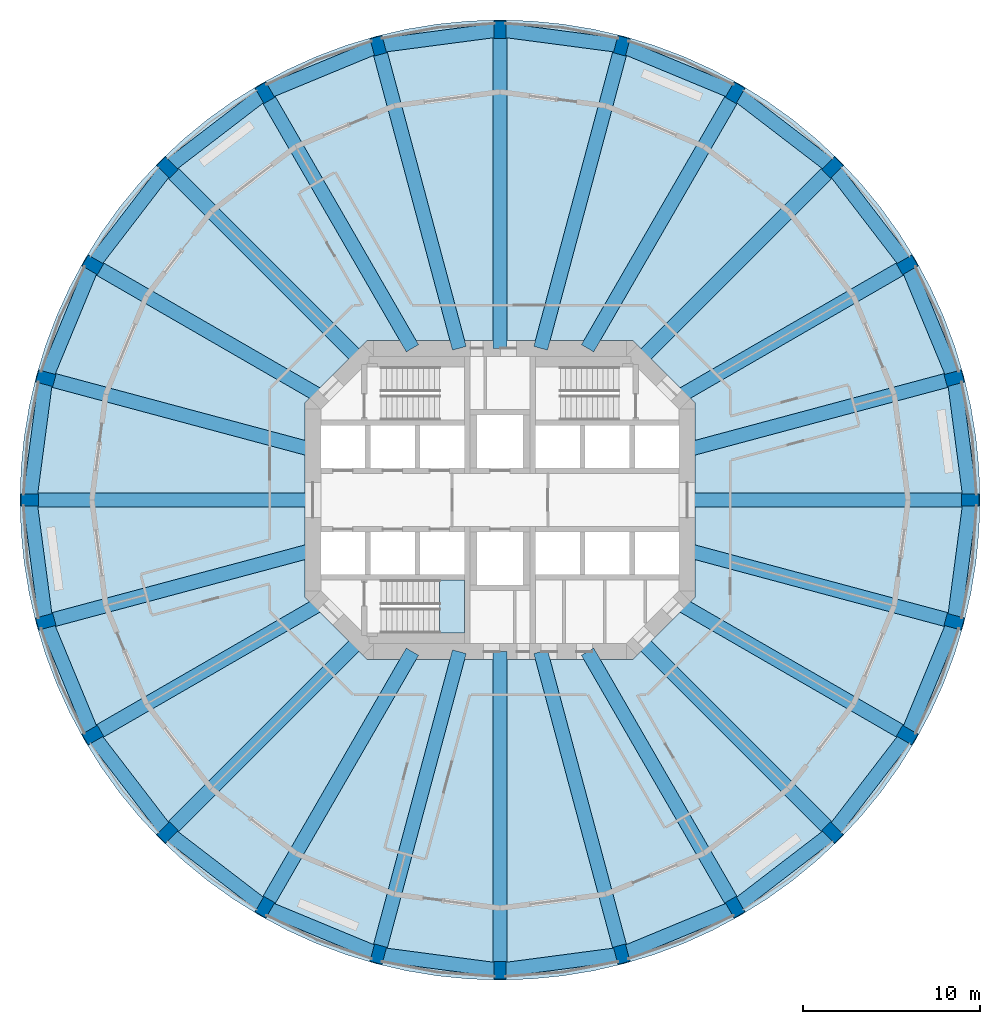
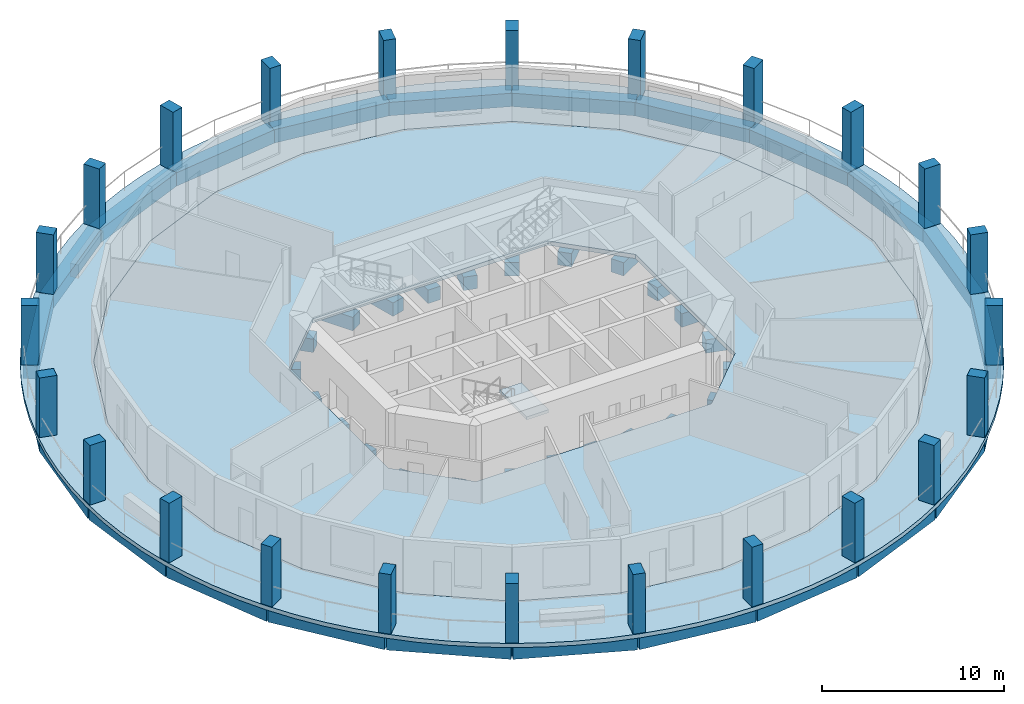
# One storey, part 1 of 9: 48 beams, 24 columns, 3 slabs, 1 element without a shape of its own.
"""IFC4 building model written with IfcOpenShell, lengths in metres."""

from ifc_helpers import new_model, si_unit, direction, frame, origin, origin_2d, place, context, subcontext, project, spatial, polyline, rectangle, outline, extrude, material, layer, layer_set, material_profile, profile_set, type_object, element, aggregate, save


model = new_model("IFC4")

# Units and contexts
model_context = context("Model", 3, precision=1e-05, world=origin(), true_north=direction((0.0, 1.0)))
body_context = subcontext(model_context, "Body", "Model", "MODEL_VIEW")
ifc_project = project(units=[si_unit("LENGTHUNIT", "METRE"), si_unit("AREAUNIT", "SQUARE_METRE"), si_unit("VOLUMEUNIT", "CUBIC_METRE"), si_unit("PLANEANGLEUNIT", "RADIAN"), si_unit("MASSUNIT", "GRAM", prefix="KILO")], contexts=[model_context])

# Site, building, storey
site_placement = place(None, origin())
site = spatial("IfcSite", under=ifc_project, at=site_placement, CompositionType="ELEMENT")
building_placement = place(site_placement, origin())
building = spatial("IfcBuilding", under=site, at=building_placement, Name="Torre Triforio", CompositionType="ELEMENT")
storey_placement = place(building_placement, frame((0.0, 0.0, 67.0)))
storey = spatial("IfcBuildingStorey", under=building, at=storey_placement, Name="L14", CompositionType="ELEMENT", Elevation=67.0)

# Columns
ifc_material_1 = material(Name="Concrete C70", Category="concrete")
ifc_material_profile_1 = material_profile(ifc_material_1, rectangle(XDim=0.699951171875, YDim=1.0, at=origin_2d()), Name="RC 700x1000")
ifc_profile_set_1 = profile_set([ifc_material_profile_1], Name="Concrete C70")
column_type = type_object("IfcColumnType", Name="Pier RC 700x1000 C70", PredefinedType="COLUMN", material=ifc_profile_set_1)
for number, where, z_axis, x_axis, name in (
    (1, (26.5, 0.0, 0.0), (0.0, 0.0, 1.0), (0.0, 1.0, 0.0), "COL.R.L14.00"),
    (2, (25.596923828125, 6.858642578125, 0.0), (0.0, 0.0, 1.0), (-0.258819045103, 0.965925826289, 0.0), "COL.R.L14.01"),
    (3, (22.94970703125, 13.25, 0.0), (0.0, 0.0, 1.0), (-0.5, 0.866025403784, 0.0), "COL.R.L14.02"),
    (4, (18.73828125, 18.73828125, 0.0), (0.0, 0.0, 1.0), (-0.707106781187, 0.707106781187, 0.0), "COL.R.L14.03"),
    (5, (13.25, 22.94970703125, 0.0), (0.0, 0.0, 1.0), (-0.866025403784, 0.5, 0.0), "COL.R.L14.04"),
    (6, (6.858642578125, 25.596923828125, 0.0), (0.0, 0.0, 1.0), (-0.965925826289, 0.258819045103, 0.0), "COL.R.L14.05"),
    (7, (0.0, 26.5, 0.0), (0.0, 0.0, 1.0), (-1.0, 0.0, 0.0), "COL.R.L14.06"),
    (8, (-6.858642578125, 25.596923828125, 0.0), (0.0, 0.0, 1.0), (-0.965925826289, -0.258819045103, 0.0), "COL.R.L14.07"),
    (9, (-13.25, 22.94970703125, 0.0), (0.0, 0.0, 1.0), (-0.866025403784, -0.5, 0.0), "COL.R.L14.08"),
    (10, (-18.73828125, 18.73828125, 0.0), (0.0, 0.0, 1.0), (-0.707106781187, -0.707106781187, 0.0), "COL.R.L14.09"),
    (11, (-22.94970703125, 13.25, 0.0), (0.0, 0.0, 1.0), (-0.5, -0.866025403784, 0.0), "COL.R.L14.10"),
    (12, (-25.596923828125, 6.858642578125, 0.0), (0.0, 0.0, 1.0), (-0.258819045103, -0.965925826289, 0.0), "COL.R.L14.11"),
    (13, (-26.5, 0.0, 0.0), (0.0, 0.0, 1.0), (0.0, -1.0, 0.0), "COL.R.L14.12"),
    (14, (-25.596923828125, -6.858642578125, 0.0), (0.0, 0.0, 1.0), (0.258819045103, -0.965925826289, 0.0), "COL.R.L14.13"),
    (15, (-22.94970703125, -13.25, 0.0), (0.0, 0.0, 1.0), (0.5, -0.866025403784, 0.0), "COL.R.L14.14"),
    (16, (-18.73828125, -18.73828125, 0.0), (0.0, 0.0, 1.0), (0.707106781187, -0.707106781187, 0.0), "COL.R.L14.15"),
    (17, (-13.25, -22.94970703125, 0.0), (0.0, 0.0, 1.0), (0.866025403784, -0.5, 0.0), "COL.R.L14.16"),
    (18, (-6.858642578125, -25.596923828125, 0.0), (0.0, 0.0, 1.0), (0.965925826289, -0.258819045103, 0.0), "COL.R.L14.17"),
    (19, (0.0, -26.5, 0.0), (0.0, 0.0, 1.0), (1.0, 0.0, 0.0), "COL.R.L14.18"),
    (20, (6.858642578125, -25.596923828125, 0.0), (0.0, 0.0, 1.0), (0.965925826289, 0.258819045103, 0.0), "COL.R.L14.19"),
    (21, (13.25, -22.94970703125, 0.0), (0.0, 0.0, 1.0), (0.866025403784, 0.5, 0.0), "COL.R.L14.20"),
    (22, (18.73828125, -18.73828125, 0.0), (0.0, 0.0, 1.0), (0.707106781187, 0.707106781187, 0.0), "COL.R.L14.21"),
    (23, (22.94970703125, -13.25, 0.0), (0.0, 0.0, 1.0), (0.5, 0.866025403784, 0.0), "COL.R.L14.22"),
    (24, (25.596923828125, -6.858642578125, 0.0), (0.0, 0.0, 1.0), (0.258819045103, 0.965925826289, 0.0), "COL.R.L14.23"),
):
    element("IfcColumn", number, at=place(storey_placement, frame(where, z_axis=z_axis, x_axis=x_axis)), inside=storey, type_object=column_type, Name=name, PredefinedType="COLUMN", context=body_context, shape_type="SweptSolid", body=[
        extrude(rectangle(XDim=0.699951171875, YDim=1.0, at=origin_2d()), origin(), (0.0, 0.0, 1.0), 4.0),
    ])

# Beams
ifc_material_2 = material(Name="Concrete C50", Category="concrete")
ifc_material_profile_2 = material_profile(ifc_material_2, rectangle(XDim=0.800048828125, YDim=0.89990234375, at=origin_2d()), Name="RC 800x900")
ifc_profile_set_2 = profile_set([ifc_material_profile_2], Name="Concrete C50")
beam_type_1 = type_object("IfcBeamType", Name="Radial beam RC 800x900 C50", PredefinedType="BEAM", material=ifc_profile_set_2)
beam_1_placement = place(storey_placement, frame((10.550048828125, 0.0, -0.72998046875), z_axis=(1.0, 0.0, 0.0), x_axis=(0.0, 1.0, 0.0)))
element("IfcBeam", 25, at=beam_1_placement, inside=storey, type_object=beam_type_1, Name="BM.R.L14.00", PredefinedType="BEAM", context=body_context, shape_type="SweptSolid", body=[
    extrude(rectangle(XDim=0.800048828125, YDim=0.89990234375, at=origin_2d()), origin(), (0.0, 0.0, 1.0), 15.949951171875),
])
beam_2_placement = place(storey_placement, frame((10.550048828125, 2.826904296875, -0.72998046875), z_axis=(0.965926784764, 0.258815467997, 0.0), x_axis=(-0.258815467997, 0.965926784764, 0.0)))
element("IfcBeam", 26, at=beam_2_placement, inside=storey, type_object=beam_type_1, Name="BM.R.L14.01", PredefinedType="BEAM", context=body_context, shape_type="SweptSolid", body=[
    extrude(rectangle(XDim=0.800048828125, YDim=0.89990234375, at=origin_2d()), origin(), (0.0, 0.0, 1.0), 15.57763671875),
])
beam_3_placement = place(storey_placement, frame((10.039794921875, 5.796630859375, -0.72998046875), z_axis=(0.866030402573, 0.499991341745, 0.0), x_axis=(-0.499991341745, 0.866030402573, 0.0)))
element("IfcBeam", 27, at=beam_3_placement, inside=storey, type_object=beam_type_1, Name="BM.R.L14.02", PredefinedType="BEAM", context=body_context, shape_type="SweptSolid", body=[
    extrude(rectangle(XDim=0.800048828125, YDim=0.89990234375, at=origin_2d()), origin(), (0.0, 0.0, 1.0), 14.906982421875),
])
beam_4_placement = place(storey_placement, frame((7.918212890625, 7.918212890625, -0.72998046875), z_axis=(0.707106781187, 0.707106781187, 0.0), x_axis=(-0.707106781187, 0.707106781187, 0.0)))
element("IfcBeam", 28, at=beam_4_placement, inside=storey, type_object=beam_type_1, Name="BM.R.L14.03", PredefinedType="BEAM", context=body_context, shape_type="SweptSolid", body=[
    extrude(rectangle(XDim=0.800048828125, YDim=0.89990234375, at=origin_2d()), origin(), (0.0, 0.0, 1.0), 15.302001953125),
])
beam_5_placement = place(storey_placement, frame((4.936279296875, 8.550048828125, -0.72998046875), z_axis=(0.500003345241, 0.8660234724, 0.0), x_axis=(-0.8660234724, 0.500003345241, 0.0)))
element("IfcBeam", 29, at=beam_5_placement, inside=storey, type_object=beam_type_1, Name="BM.R.L14.04", PredefinedType="BEAM", context=body_context, shape_type="SweptSolid", body=[
    extrude(rectangle(XDim=0.800048828125, YDim=0.89990234375, at=origin_2d()), origin(), (0.0, 0.0, 1.0), 16.62744140625),
])
beam_6_placement = place(storey_placement, frame((2.291015625, 8.550048828125, -0.72998046875), z_axis=(0.258815374176, 0.965926809903, 0.0), x_axis=(-0.965926809903, 0.258815374176, 0.0)))
element("IfcBeam", 30, at=beam_6_placement, inside=storey, type_object=beam_type_1, Name="BM.R.L14.05", PredefinedType="BEAM", context=body_context, shape_type="SweptSolid", body=[
    extrude(rectangle(XDim=0.800048828125, YDim=0.89990234375, at=origin_2d()), origin(), (0.0, 0.0, 1.0), 17.648193359375),
])
beam_7_placement = place(storey_placement, frame((0.0, 8.550048828125, -0.72998046875), z_axis=(0.0, 1.0, 0.0), x_axis=(-1.0, 0.0, 0.0)))
element("IfcBeam", 31, at=beam_7_placement, inside=storey, type_object=beam_type_1, Name="BM.R.L14.06", PredefinedType="BEAM", context=body_context, shape_type="SweptSolid", body=[
    extrude(rectangle(XDim=0.800048828125, YDim=0.89990234375, at=origin_2d()), origin(), (0.0, 0.0, 1.0), 17.949951171875),
])
beam_8_placement = place(storey_placement, frame((-2.291015625, 8.550048828125, -0.72998046875), z_axis=(-0.258815374176, 0.965926809903, 0.0), x_axis=(-0.965926809903, -0.258815374176, 0.0)))
element("IfcBeam", 32, at=beam_8_placement, inside=storey, type_object=beam_type_1, Name="BM.R.L14.07", PredefinedType="BEAM", context=body_context, shape_type="SweptSolid", body=[
    extrude(rectangle(XDim=0.800048828125, YDim=0.89990234375, at=origin_2d()), origin(), (0.0, 0.0, 1.0), 17.648193359375),
])
beam_9_placement = place(storey_placement, frame((-4.936279296875, 8.550048828125, -0.72998046875), z_axis=(-0.500003345241, 0.8660234724, 0.0), x_axis=(-0.8660234724, -0.500003345241, 0.0)))
element("IfcBeam", 33, at=beam_9_placement, inside=storey, type_object=beam_type_1, Name="BM.R.L14.08", PredefinedType="BEAM", context=body_context, shape_type="SweptSolid", body=[
    extrude(rectangle(XDim=0.800048828125, YDim=0.89990234375, at=origin_2d()), origin(), (0.0, 0.0, 1.0), 16.62744140625),
])
beam_10_placement = place(storey_placement, frame((-7.918212890625, 7.918212890625, -0.72998046875), z_axis=(-0.707106781187, 0.707106781187, 0.0), x_axis=(-0.707106781187, -0.707106781187, 0.0)))
element("IfcBeam", 34, at=beam_10_placement, inside=storey, type_object=beam_type_1, Name="BM.R.L14.09", PredefinedType="BEAM", context=body_context, shape_type="SweptSolid", body=[
    extrude(rectangle(XDim=0.800048828125, YDim=0.89990234375, at=origin_2d()), origin(), (0.0, 0.0, 1.0), 15.302001953125),
])
beam_11_placement = place(storey_placement, frame((-10.039794921875, 5.796630859375, -0.72998046875), z_axis=(-0.866030402573, 0.499991341745, 0.0), x_axis=(-0.499991341745, -0.866030402573, 0.0)))
element("IfcBeam", 35, at=beam_11_placement, inside=storey, type_object=beam_type_1, Name="BM.R.L14.10", PredefinedType="BEAM", context=body_context, shape_type="SweptSolid", body=[
    extrude(rectangle(XDim=0.800048828125, YDim=0.89990234375, at=origin_2d()), origin(), (0.0, 0.0, 1.0), 14.906982421875),
])
beam_12_placement = place(storey_placement, frame((-10.550048828125, 2.826904296875, -0.72998046875), z_axis=(-0.965926784764, 0.258815467997, 0.0), x_axis=(-0.258815467997, -0.965926784764, 0.0)))
element("IfcBeam", 36, at=beam_12_placement, inside=storey, type_object=beam_type_1, Name="BM.R.L14.11", PredefinedType="BEAM", context=body_context, shape_type="SweptSolid", body=[
    extrude(rectangle(XDim=0.800048828125, YDim=0.89990234375, at=origin_2d()), origin(), (0.0, 0.0, 1.0), 15.57763671875),
])
beam_13_placement = place(storey_placement, frame((-10.550048828125, 0.0, -0.72998046875), z_axis=(-1.0, 0.0, 0.0), x_axis=(0.0, -1.0, 0.0)))
element("IfcBeam", 37, at=beam_13_placement, inside=storey, type_object=beam_type_1, Name="BM.R.L14.12", PredefinedType="BEAM", context=body_context, shape_type="SweptSolid", body=[
    extrude(rectangle(XDim=0.800048828125, YDim=0.89990234375, at=origin_2d()), origin(), (0.0, 0.0, 1.0), 15.949951171875),
])
beam_14_placement = place(storey_placement, frame((-10.550048828125, -2.826904296875, -0.72998046875), z_axis=(-0.965926784764, -0.258815467997, 0.0), x_axis=(0.258815467997, -0.965926784764, 0.0)))
element("IfcBeam", 38, at=beam_14_placement, inside=storey, type_object=beam_type_1, Name="BM.R.L14.13", PredefinedType="BEAM", context=body_context, shape_type="SweptSolid", body=[
    extrude(rectangle(XDim=0.800048828125, YDim=0.89990234375, at=origin_2d()), origin(), (0.0, 0.0, 1.0), 15.57763671875),
])
beam_15_placement = place(storey_placement, frame((-10.039794921875, -5.796630859375, -0.72998046875), z_axis=(-0.866030402573, -0.499991341745, 0.0), x_axis=(0.499991341745, -0.866030402573, 0.0)))
element("IfcBeam", 39, at=beam_15_placement, inside=storey, type_object=beam_type_1, Name="BM.R.L14.14", PredefinedType="BEAM", context=body_context, shape_type="SweptSolid", body=[
    extrude(rectangle(XDim=0.800048828125, YDim=0.89990234375, at=origin_2d()), origin(), (0.0, 0.0, 1.0), 14.906982421875),
])
beam_16_placement = place(storey_placement, frame((-7.918212890625, -7.918212890625, -0.72998046875), z_axis=(-0.707106781187, -0.707106781187, 0.0), x_axis=(0.707106781187, -0.707106781187, 0.0)))
element("IfcBeam", 40, at=beam_16_placement, inside=storey, type_object=beam_type_1, Name="BM.R.L14.15", PredefinedType="BEAM", context=body_context, shape_type="SweptSolid", body=[
    extrude(rectangle(XDim=0.800048828125, YDim=0.89990234375, at=origin_2d()), origin(), (0.0, 0.0, 1.0), 15.302001953125),
])
beam_17_placement = place(storey_placement, frame((-4.936279296875, -8.550048828125, -0.72998046875), z_axis=(-0.500003345241, -0.8660234724, 0.0), x_axis=(0.8660234724, -0.500003345241, 0.0)))
element("IfcBeam", 41, at=beam_17_placement, inside=storey, type_object=beam_type_1, Name="BM.R.L14.16", PredefinedType="BEAM", context=body_context, shape_type="SweptSolid", body=[
    extrude(rectangle(XDim=0.800048828125, YDim=0.89990234375, at=origin_2d()), origin(), (0.0, 0.0, 1.0), 16.62744140625),
])
beam_18_placement = place(storey_placement, frame((-2.291015625, -8.550048828125, -0.72998046875), z_axis=(-0.258815374176, -0.965926809903, 0.0), x_axis=(0.965926809903, -0.258815374176, 0.0)))
element("IfcBeam", 42, at=beam_18_placement, inside=storey, type_object=beam_type_1, Name="BM.R.L14.17", PredefinedType="BEAM", context=body_context, shape_type="SweptSolid", body=[
    extrude(rectangle(XDim=0.800048828125, YDim=0.89990234375, at=origin_2d()), origin(), (0.0, 0.0, 1.0), 17.648193359375),
])
beam_19_placement = place(storey_placement, frame((0.0, -8.550048828125, -0.72998046875), z_axis=(0.0, -1.0, 0.0), x_axis=(1.0, 0.0, 0.0)))
element("IfcBeam", 43, at=beam_19_placement, inside=storey, type_object=beam_type_1, Name="BM.R.L14.18", PredefinedType="BEAM", context=body_context, shape_type="SweptSolid", body=[
    extrude(rectangle(XDim=0.800048828125, YDim=0.89990234375, at=origin_2d()), origin(), (0.0, 0.0, 1.0), 17.949951171875),
])
beam_20_placement = place(storey_placement, frame((2.291015625, -8.550048828125, -0.72998046875), z_axis=(0.258815374176, -0.965926809903, 0.0), x_axis=(0.965926809903, 0.258815374176, 0.0)))
element("IfcBeam", 44, at=beam_20_placement, inside=storey, type_object=beam_type_1, Name="BM.R.L14.19", PredefinedType="BEAM", context=body_context, shape_type="SweptSolid", body=[
    extrude(rectangle(XDim=0.800048828125, YDim=0.89990234375, at=origin_2d()), origin(), (0.0, 0.0, 1.0), 17.648193359375),
])
beam_21_placement = place(storey_placement, frame((4.936279296875, -8.550048828125, -0.72998046875), z_axis=(0.500003345241, -0.8660234724, 0.0), x_axis=(0.8660234724, 0.500003345241, 0.0)))
element("IfcBeam", 45, at=beam_21_placement, inside=storey, type_object=beam_type_1, Name="BM.R.L14.20", PredefinedType="BEAM", context=body_context, shape_type="SweptSolid", body=[
    extrude(rectangle(XDim=0.800048828125, YDim=0.89990234375, at=origin_2d()), origin(), (0.0, 0.0, 1.0), 16.62744140625),
])
beam_22_placement = place(storey_placement, frame((7.918212890625, -7.918212890625, -0.72998046875), z_axis=(0.707106781187, -0.707106781187, 0.0), x_axis=(0.707106781187, 0.707106781187, 0.0)))
element("IfcBeam", 46, at=beam_22_placement, inside=storey, type_object=beam_type_1, Name="BM.R.L14.21", PredefinedType="BEAM", context=body_context, shape_type="SweptSolid", body=[
    extrude(rectangle(XDim=0.800048828125, YDim=0.89990234375, at=origin_2d()), origin(), (0.0, 0.0, 1.0), 15.302001953125),
])
beam_23_placement = place(storey_placement, frame((10.039794921875, -5.796630859375, -0.72998046875), z_axis=(0.866030402573, -0.499991341745, 0.0), x_axis=(0.499991341745, 0.866030402573, 0.0)))
element("IfcBeam", 47, at=beam_23_placement, inside=storey, type_object=beam_type_1, Name="BM.R.L14.22", PredefinedType="BEAM", context=body_context, shape_type="SweptSolid", body=[
    extrude(rectangle(XDim=0.800048828125, YDim=0.89990234375, at=origin_2d()), origin(), (0.0, 0.0, 1.0), 14.906982421875),
])
beam_24_placement = place(storey_placement, frame((10.550048828125, -2.826904296875, -0.72998046875), z_axis=(0.965926784764, -0.258815467997, 0.0), x_axis=(0.258815467997, 0.965926784764, 0.0)))
element("IfcBeam", 48, at=beam_24_placement, inside=storey, type_object=beam_type_1, Name="BM.R.L14.23", PredefinedType="BEAM", context=body_context, shape_type="SweptSolid", body=[
    extrude(rectangle(XDim=0.800048828125, YDim=0.89990234375, at=origin_2d()), origin(), (0.0, 0.0, 1.0), 15.57763671875),
])
ifc_material_profile_3 = material_profile(ifc_material_2, rectangle(XDim=0.800048828125, YDim=0.89990234375, at=origin_2d()), Name="RC 800x900")
ifc_profile_set_3 = profile_set([ifc_material_profile_3], Name="Concrete C50")
beam_type_2 = type_object("IfcBeamType", Name="Spandrel beam RC 800x900 C50", PredefinedType="SPANDREL", material=ifc_profile_set_3)
beam_25_placement = place(storey_placement, frame((26.5, 0.0, -0.72998046875), z_axis=(-0.130543064996, 0.991442639885, 0.0), x_axis=(-0.991442639885, -0.130543064996, 0.0)))
element("IfcBeam", 49, at=beam_25_placement, inside=storey, type_object=beam_type_2, Name="BM.S.L14.00", PredefinedType="SPANDREL", context=body_context, shape_type="SweptSolid", body=[
    extrude(rectangle(XDim=0.800048828125, YDim=0.89990234375, at=origin_2d()), origin(), (0.0, 0.0, 1.0), 6.917724609375),
])
for number, where, z_axis, x_axis, name in (
    (50, (25.596923828125, 6.858642578125, -0.72998046875), (-0.382662441128, 0.923888227087, 0.0), (-0.923888227087, -0.382662441128, 0.0), "BM.S.L14.01"),
    (51, (22.94970703125, 13.25, -0.72998046875), (-0.608772297796, 0.793345000259, 0.0), (-0.793345000259, -0.608772297796, 0.0), "BM.S.L14.02"),
    (52, (18.73828125, 18.73828125, -0.72998046875), (-0.793345000259, 0.608772297796, 0.0), (-0.608772297796, -0.793345000259, 0.0), "BM.S.L14.03"),
    (53, (13.25, 22.94970703125, -0.72998046875), (-0.923888227087, 0.382662441128, 0.0), (-0.382662441128, -0.923888227087, 0.0), "BM.S.L14.04"),
):
    element("IfcBeam", number, at=place(storey_placement, frame(where, z_axis=z_axis, x_axis=x_axis)), inside=storey, type_object=beam_type_2, Name=name, PredefinedType="SPANDREL", context=body_context, shape_type="SweptSolid", body=[
        extrude(rectangle(XDim=0.800048828125, YDim=0.89990234375, at=origin_2d()), origin(), (0.0, 0.0, 1.0), 6.91796875),
    ])
for number, where, z_axis, x_axis, name in (
    (54, (6.858642578125, 25.596923828125, -0.72998046875), (-0.991442639885, 0.130543064996, 0.0), (-0.130543064996, -0.991442639885, 0.0), "BM.S.L14.05"),
    (55, (0.0, 26.5, -0.72998046875), (-0.991442639885, -0.130543064996, 0.0), (0.130543064996, -0.991442639885, 0.0), "BM.S.L14.06"),
):
    element("IfcBeam", number, at=place(storey_placement, frame(where, z_axis=z_axis, x_axis=x_axis)), inside=storey, type_object=beam_type_2, Name=name, PredefinedType="SPANDREL", context=body_context, shape_type="SweptSolid", body=[
        extrude(rectangle(XDim=0.800048828125, YDim=0.89990234375, at=origin_2d()), origin(), (0.0, 0.0, 1.0), 6.917724609375),
    ])
for number, where, z_axis, x_axis, name in (
    (56, (-6.858642578125, 25.596923828125, -0.72998046875), (-0.923888227087, -0.382662441128, 0.0), (0.382662441128, -0.923888227087, 0.0), "BM.S.L14.07"),
    (57, (-13.25, 22.94970703125, -0.72998046875), (-0.793345000259, -0.608772297796, 0.0), (0.608772297796, -0.793345000259, 0.0), "BM.S.L14.08"),
    (58, (-18.73828125, 18.73828125, -0.72998046875), (-0.608772297796, -0.793345000259, 0.0), (0.793345000259, -0.608772297796, 0.0), "BM.S.L14.09"),
    (59, (-22.94970703125, 13.25, -0.72998046875), (-0.382662441128, -0.923888227087, 0.0), (0.923888227087, -0.382662441128, 0.0), "BM.S.L14.10"),
):
    element("IfcBeam", number, at=place(storey_placement, frame(where, z_axis=z_axis, x_axis=x_axis)), inside=storey, type_object=beam_type_2, Name=name, PredefinedType="SPANDREL", context=body_context, shape_type="SweptSolid", body=[
        extrude(rectangle(XDim=0.800048828125, YDim=0.89990234375, at=origin_2d()), origin(), (0.0, 0.0, 1.0), 6.91796875),
    ])
for number, where, z_axis, x_axis, name in (
    (60, (-25.596923828125, 6.858642578125, -0.72998046875), (-0.130543064996, -0.991442639885, 0.0), (0.991442639885, -0.130543064996, 0.0), "BM.S.L14.11"),
    (61, (-26.5, 0.0, -0.72998046875), (0.130543064996, -0.991442639885, 0.0), (0.991442639885, 0.130543064996, 0.0), "BM.S.L14.12"),
):
    element("IfcBeam", number, at=place(storey_placement, frame(where, z_axis=z_axis, x_axis=x_axis)), inside=storey, type_object=beam_type_2, Name=name, PredefinedType="SPANDREL", context=body_context, shape_type="SweptSolid", body=[
        extrude(rectangle(XDim=0.800048828125, YDim=0.89990234375, at=origin_2d()), origin(), (0.0, 0.0, 1.0), 6.917724609375),
    ])
for number, where, z_axis, x_axis, name in (
    (62, (-25.596923828125, -6.858642578125, -0.72998046875), (0.382662441128, -0.923888227087, 0.0), (0.923888227087, 0.382662441128, 0.0), "BM.S.L14.13"),
    (63, (-22.94970703125, -13.25, -0.72998046875), (0.608772297796, -0.793345000259, 0.0), (0.793345000259, 0.608772297796, 0.0), "BM.S.L14.14"),
    (64, (-18.73828125, -18.73828125, -0.72998046875), (0.793345000259, -0.608772297796, 0.0), (0.608772297796, 0.793345000259, 0.0), "BM.S.L14.15"),
    (65, (-13.25, -22.94970703125, -0.72998046875), (0.923888227087, -0.382662441128, 0.0), (0.382662441128, 0.923888227087, 0.0), "BM.S.L14.16"),
):
    element("IfcBeam", number, at=place(storey_placement, frame(where, z_axis=z_axis, x_axis=x_axis)), inside=storey, type_object=beam_type_2, Name=name, PredefinedType="SPANDREL", context=body_context, shape_type="SweptSolid", body=[
        extrude(rectangle(XDim=0.800048828125, YDim=0.89990234375, at=origin_2d()), origin(), (0.0, 0.0, 1.0), 6.91796875),
    ])
for number, where, z_axis, x_axis, name in (
    (66, (-6.858642578125, -25.596923828125, -0.72998046875), (0.991442639885, -0.130543064996, 0.0), (0.130543064996, 0.991442639885, 0.0), "BM.S.L14.17"),
    (67, (0.0, -26.5, -0.72998046875), (0.991442639885, 0.130543064996, 0.0), (-0.130543064996, 0.991442639885, 0.0), "BM.S.L14.18"),
):
    element("IfcBeam", number, at=place(storey_placement, frame(where, z_axis=z_axis, x_axis=x_axis)), inside=storey, type_object=beam_type_2, Name=name, PredefinedType="SPANDREL", context=body_context, shape_type="SweptSolid", body=[
        extrude(rectangle(XDim=0.800048828125, YDim=0.89990234375, at=origin_2d()), origin(), (0.0, 0.0, 1.0), 6.917724609375),
    ])
for number, where, z_axis, x_axis, name in (
    (68, (6.858642578125, -25.596923828125, -0.72998046875), (0.923888227087, 0.382662441128, 0.0), (-0.382662441128, 0.923888227087, 0.0), "BM.S.L14.19"),
    (69, (13.25, -22.94970703125, -0.72998046875), (0.793345000259, 0.608772297796, 0.0), (-0.608772297796, 0.793345000259, 0.0), "BM.S.L14.20"),
    (70, (18.73828125, -18.73828125, -0.72998046875), (0.608772297796, 0.793345000259, 0.0), (-0.793345000259, 0.608772297796, 0.0), "BM.S.L14.21"),
    (71, (22.94970703125, -13.25, -0.72998046875), (0.382662441128, 0.923888227087, 0.0), (-0.923888227087, 0.382662441128, 0.0), "BM.S.L14.22"),
):
    element("IfcBeam", number, at=place(storey_placement, frame(where, z_axis=z_axis, x_axis=x_axis)), inside=storey, type_object=beam_type_2, Name=name, PredefinedType="SPANDREL", context=body_context, shape_type="SweptSolid", body=[
        extrude(rectangle(XDim=0.800048828125, YDim=0.89990234375, at=origin_2d()), origin(), (0.0, 0.0, 1.0), 6.91796875),
    ])
beam_26_placement = place(storey_placement, frame((25.596923828125, -6.858642578125, -0.72998046875), z_axis=(0.130543064996, 0.991442639885, 0.0), x_axis=(-0.991442639885, 0.130543064996, 0.0)))
element("IfcBeam", 72, at=beam_26_placement, inside=storey, type_object=beam_type_2, Name="BM.S.L14.23", PredefinedType="SPANDREL", context=body_context, shape_type="SweptSolid", body=[
    extrude(rectangle(XDim=0.800048828125, YDim=0.89990234375, at=origin_2d()), origin(), (0.0, 0.0, 1.0), 6.917724609375),
])

# Slabs
ifc_layer_1 = layer(ifc_material_2, 0.280029296875)
ifc_layer_set_1 = layer_set([ifc_layer_1], Name="Concrete C50")
slab_type_1 = type_object("IfcSlabType", Name="Floor slab 280 C50", PredefinedType="FLOOR", material=ifc_layer_set_1)
slab_1_placement = place(storey_placement, frame((0.0, 0.0, -0.280029296875)))
element("IfcSlab", 73, at=slab_1_placement, inside=storey, type_object=slab_type_1, Name="SL.L14", PredefinedType="FLOOR", context=body_context, shape_type="SweptSolid", body=[
    extrude(outline(polyline([(19.918701171875, -11.5), (22.21630859375, -5.952880859375), (23.0, 0.0), (22.21630859375, 5.952880859375), (19.918701171875, 11.5), (16.263427734375, 16.263427734375), (11.5, 19.918701171875), (5.952880859375, 22.21630859375), (0.0, 23.0), (-5.952880859375, 22.21630859375), (-11.5, 19.918701171875), (-16.263427734375, 16.263427734375), (-19.918701171875, 11.5), (-22.21630859375, 5.952880859375), (-23.0, 0.0), (-22.21630859375, -5.952880859375), (-19.918701171875, -11.5), (-16.263427734375, -16.263427734375), (-11.5, -19.918701171875), (-5.952880859375, -22.21630859375), (0.0, -23.0), (5.952880859375, -22.21630859375), (11.5, -19.918701171875), (16.263427734375, -16.263427734375), (19.918701171875, -11.5)]), holes=[polyline([(11.0, 5.472900390625), (11.0, -5.472900390625), (7.472900390625, -9.0), (-7.472900390625, -9.0), (-11.0, -5.472900390625), (-11.0, 5.472900390625), (-7.472900390625, 9.0), (7.472900390625, 9.0), (11.0, 5.472900390625)])]), origin(), (0.0, 0.0, 1.0), 0.280029296875),
])
ifc_layer_2 = layer(ifc_material_2, 0.280029296875)
ifc_layer_set_2 = layer_set([ifc_layer_2], Name="Concrete C50")
slab_type_2 = type_object("IfcSlabType", Name="Loggia slab 280 C50", PredefinedType="FLOOR", material=ifc_layer_set_2)
slab_2_placement = place(storey_placement, frame((0.0, 0.0, -0.280029296875)))
element("IfcSlab", 74, at=slab_2_placement, inside=storey, type_object=slab_type_2, Name="SL.L14.LG", PredefinedType="FLOOR", context=body_context, shape_type="SweptSolid", body=[
    extrude(outline(polyline([(26.9921875, -1.76904296875), (27.050048828125, 0.0), (26.9921875, 1.76904296875), (26.818603515625, 3.53076171875), (26.5302734375, 5.277099609375), (26.128173828125, 7.0009765625), (25.614501953125, 8.69482421875), (24.990966796875, 10.3515625), (24.260498046875, 11.9638671875), (23.426025390625, 13.52490234375), (22.4912109375, 15.028076171875), (21.460205078125, 16.467041015625), (20.337158203125, 17.835205078125), (19.127197265625, 19.127197265625), (17.835205078125, 20.337158203125), (16.467041015625, 21.460205078125), (15.028076171875, 22.4912109375), (13.52490234375, 23.426025390625), (11.9638671875, 24.260498046875), (10.3515625, 24.990966796875), (8.69482421875, 25.614501953125), (7.0009765625, 26.128173828125), (5.277099609375, 26.5302734375), (3.53076171875, 26.818603515625), (1.76904296875, 26.9921875), (0.0, 27.050048828125), (-1.76904296875, 26.9921875), (-3.53076171875, 26.818603515625), (-5.277099609375, 26.5302734375), (-7.0009765625, 26.128173828125), (-8.69482421875, 25.614501953125), (-10.3515625, 24.990966796875), (-11.9638671875, 24.260498046875), (-13.52490234375, 23.426025390625), (-15.028076171875, 22.4912109375), (-16.467041015625, 21.460205078125), (-17.835205078125, 20.337158203125), (-19.127197265625, 19.127197265625), (-20.337158203125, 17.835205078125), (-21.460205078125, 16.467041015625), (-22.4912109375, 15.028076171875), (-23.426025390625, 13.52490234375), (-24.260498046875, 11.9638671875), (-24.990966796875, 10.3515625), (-25.614501953125, 8.69482421875), (-26.128173828125, 7.0009765625), (-26.5302734375, 5.277099609375), (-26.818603515625, 3.53076171875), (-26.9921875, 1.76904296875), (-27.050048828125, 0.0), (-26.9921875, -1.76904296875), (-26.818603515625, -3.53076171875), (-26.5302734375, -5.277099609375), (-26.128173828125, -7.0009765625), (-25.614501953125, -8.69482421875), (-24.990966796875, -10.3515625), (-24.260498046875, -11.9638671875), (-23.426025390625, -13.52490234375), (-22.4912109375, -15.028076171875), (-21.460205078125, -16.467041015625), (-20.337158203125, -17.835205078125), (-19.127197265625, -19.127197265625), (-17.835205078125, -20.337158203125), (-16.467041015625, -21.460205078125), (-15.028076171875, -22.4912109375), (-13.52490234375, -23.426025390625), (-11.9638671875, -24.260498046875), (-10.3515625, -24.990966796875), (-8.69482421875, -25.614501953125), (-7.0009765625, -26.128173828125), (-5.277099609375, -26.5302734375), (-3.53076171875, -26.818603515625), (-1.76904296875, -26.9921875), (0.0, -27.050048828125), (1.76904296875, -26.9921875), (3.53076171875, -26.818603515625), (5.277099609375, -26.5302734375), (7.0009765625, -26.128173828125), (8.69482421875, -25.614501953125), (10.3515625, -24.990966796875), (11.9638671875, -24.260498046875), (13.52490234375, -23.426025390625), (15.028076171875, -22.4912109375), (16.467041015625, -21.460205078125), (17.835205078125, -20.337158203125), (19.127197265625, -19.127197265625), (20.337158203125, -17.835205078125), (21.460205078125, -16.467041015625), (22.4912109375, -15.028076171875), (23.426025390625, -13.52490234375), (24.260498046875, -11.9638671875), (24.990966796875, -10.3515625), (25.614501953125, -8.69482421875), (26.128173828125, -7.0009765625), (26.5302734375, -5.277099609375), (26.818603515625, -3.53076171875), (26.9921875, -1.76904296875)]), holes=[polyline([(22.21630859375, 5.952880859375), (23.0, 0.0), (22.21630859375, -5.952880859375), (19.918701171875, -11.5), (16.263427734375, -16.263427734375), (11.5, -19.918701171875), (5.952880859375, -22.21630859375), (0.0, -23.0), (-5.952880859375, -22.21630859375), (-11.5, -19.918701171875), (-16.263427734375, -16.263427734375), (-19.918701171875, -11.5), (-22.21630859375, -5.952880859375), (-23.0, 0.0), (-22.21630859375, 5.952880859375), (-19.918701171875, 11.5), (-16.263427734375, 16.263427734375), (-11.5, 19.918701171875), (-5.952880859375, 22.21630859375), (0.0, 23.0), (5.952880859375, 22.21630859375), (11.5, 19.918701171875), (16.263427734375, 16.263427734375), (19.918701171875, 11.5), (22.21630859375, 5.952880859375)])]), origin(), (0.0, 0.0, 1.0), 0.280029296875),
])

# Stair, slab
ifc_material_3 = material(Name="Concrete C40", Category="concrete")
stair_type = type_object("IfcStairType", Name="STAIR HALF-TURN", PredefinedType="HALF_TURN_STAIR", material=ifc_material_3)
stair_placement = place(storey_placement, origin())
stair = element("IfcStair", 75, at=stair_placement, inside=storey, type_object=stair_type, Name="Exit stair 3", PredefinedType="HALF_TURN_STAIR")
ifc_layer_3 = layer(ifc_material_3, 0.199951171875)
ifc_layer_set_3 = layer_set([ifc_layer_3], Name="Concrete C40")
slab_type_3 = type_object("IfcSlabType", Name="STAIR LANDING 200", PredefinedType="LANDING", material=ifc_layer_set_3)
slab_3_placement = place(storey_placement, frame((0.0, 0.0, 1.800048828125)))
slab_3 = element("IfcSlab", 76, at=slab_3_placement, type_object=slab_type_3, Name="ST3 landing 1", PredefinedType="LANDING", context=body_context, shape_type="SweptSolid", body=[
    extrude(outline(polyline([(-2.0, -7.5), (-2.0, -4.5), (-3.39990234375, -4.5), (-3.39990234375, -7.5), (-2.0, -7.5)])), origin(), (0.0, 0.0, 1.0), 0.199951171875),
])
aggregate(stair, [slab_3])

save(model, "model.ifc")
